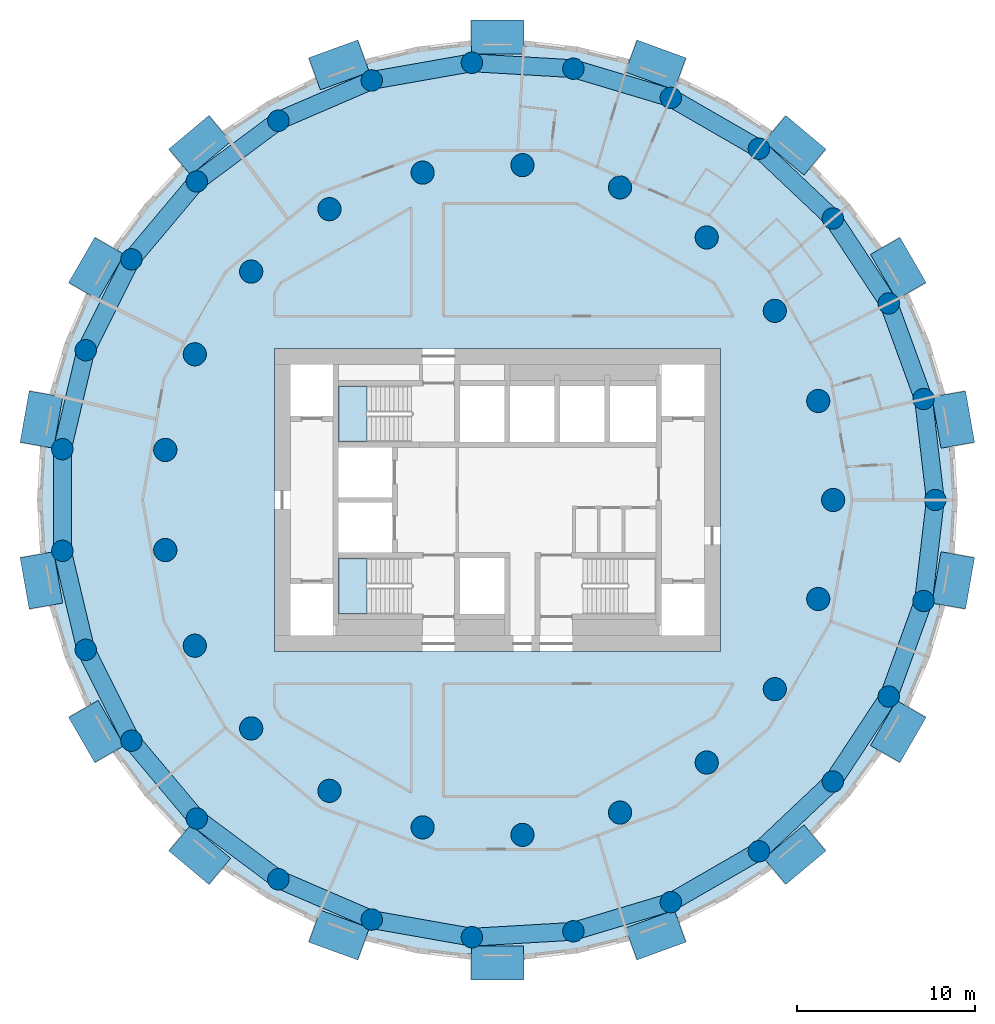
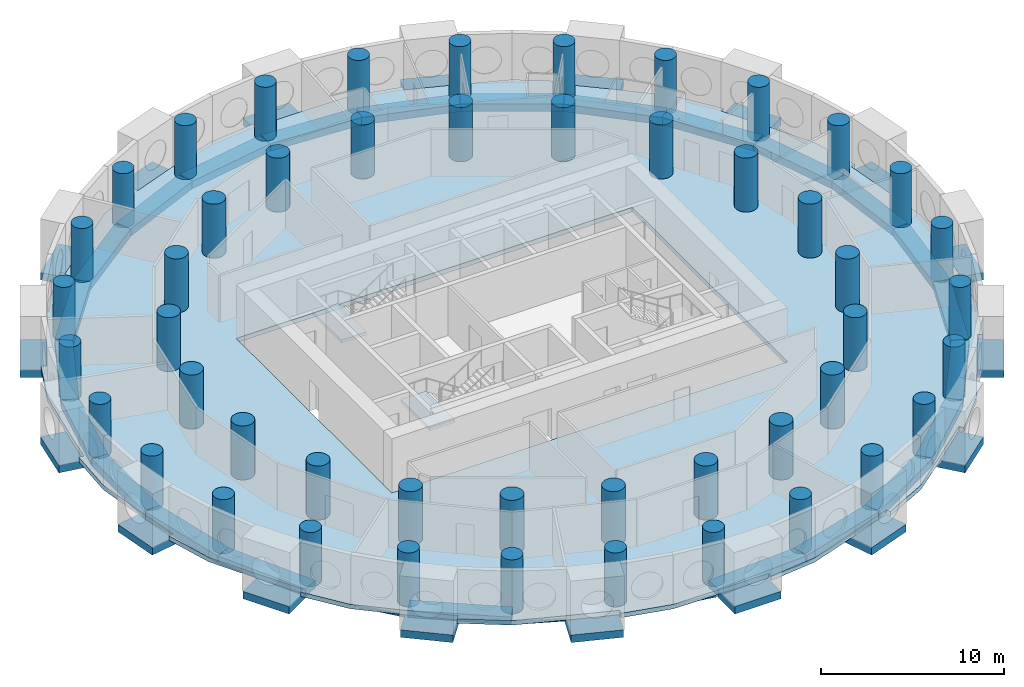
# One storey, part 1 of 10: 48 columns, 45 beams, 3 slabs, 2 elements without a shape of their own.
"""IFC4 building model written with IfcOpenShell, lengths in metres."""

from ifc_helpers import new_model, si_unit, direction, frame, origin, origin_2d, place, context, subcontext, project, spatial, polyline, rectangle, circle, outline, extrude, material, layer, layer_set, material_profile, profile_set, type_object, element, aggregate, save


model = new_model("IFC4")

# Units and contexts
model_context = context("Model", 3, precision=1e-05, world=origin(), true_north=direction((0.0, 1.0)))
body_context = subcontext(model_context, "Body", "Model", "MODEL_VIEW")
ifc_project = project(units=[si_unit("LENGTHUNIT", "METRE"), si_unit("AREAUNIT", "SQUARE_METRE"), si_unit("VOLUMEUNIT", "CUBIC_METRE"), si_unit("PLANEANGLEUNIT", "RADIAN"), si_unit("MASSUNIT", "GRAM", prefix="KILO")], contexts=[model_context])

# Site, building, storey
site_placement = place(None, origin())
site = spatial("IfcSite", under=ifc_project, at=site_placement, CompositionType="ELEMENT")
building_placement = place(site_placement, origin())
building = spatial("IfcBuilding", under=site, at=building_placement, Name="Tracery Tower", CompositionType="ELEMENT")
storey_placement = place(building_placement, frame((0.0, 0.0, 212.39990234375)))
storey = spatial("IfcBuildingStorey", under=building, at=storey_placement, Name="L55", CompositionType="ELEMENT", Elevation=212.39990234375)

# Columns
ifc_material_1 = material(Name="Concrete C50/60", Category="concrete")
ifc_material_profile_1 = material_profile(ifc_material_1, circle(Radius=0.60009765625, at=origin_2d()), Name="RC D1200")
ifc_profile_set_1 = profile_set([ifc_material_profile_1], Name="Concrete C50/60")
column_type_1 = type_object("IfcColumnType", Name="Ring 1 column 1200", PredefinedType="COLUMN", material=ifc_profile_set_1)
for number, where, z_axis, x_axis, name in (
    (1, (24.547607421875, 0.0, 0.0), (0.0, 0.0, 1.0), (1.0, 0.0, 0.0), "Ring 1 column 00 at L55"),
    (2, (23.885986328125, 5.6611328125, 0.0), (0.0, 0.0, 1.0), (1.0, 0.0, 0.0), "Ring 1 column 01 at L55"),
    (3, (21.9365234375, 11.01708984375, 0.0), (0.0, 0.0, 1.0), (1.0, 0.0, 0.0), "Ring 1 column 02 at L55"),
    (4, (18.8046875, 15.779052734375, 0.0), (0.0, 0.0, 1.0), (1.0, 0.0, 0.0), "Ring 1 column 03 at L55"),
    (5, (14.658935546875, 19.690185546875, 0.0), (0.0, 0.0, 1.0), (1.0, 0.0, 0.0), "Ring 1 column 04 at L55"),
    (6, (9.722900390625, 22.5400390625, 0.0), (0.0, 0.0, 1.0), (1.0, 0.0, 0.0), "Ring 1 column 05 at L55"),
    (7, (4.2626953125, 24.1748046875, 0.0), (0.0, 0.0, 1.0), (1.0, 0.0, 0.0), "Ring 1 column 06 at L55"),
    (8, (-1.42724609375, 24.506103515625, 0.0), (0.0, 0.0, 1.0), (1.0, 0.0, 0.0), "Ring 1 column 07 at L55"),
    (9, (-7.040283203125, 23.516357421875, 0.0), (0.0, 0.0, 1.0), (1.0, 0.0, 0.0), "Ring 1 column 08 at L55"),
    (10, (-12.273681640625, 21.2587890625, 0.0), (0.0, 0.0, 1.0), (1.0, 0.0, 0.0), "Ring 1 column 09 at L55"),
    (11, (-16.845703125, 17.855224609375, 0.0), (0.0, 0.0, 1.0), (1.0, 0.0, 0.0), "Ring 1 column 10 at L55"),
    (12, (-20.50927734375, 13.4892578125, 0.0), (0.0, 0.0, 1.0), (1.0, 0.0, 0.0), "Ring 1 column 11 at L55"),
    (13, (-23.0673828125, 8.395751953125, 0.0), (0.0, 0.0, 1.0), (1.0, 0.0, 0.0), "Ring 1 column 12 at L55"),
    (14, (-24.381591796875, 2.849853515625, 0.0), (0.0, 0.0, 1.0), (1.0, 0.0, 0.0), "Ring 1 column 13 at L55"),
    (15, (-24.381591796875, -2.849853515625, 0.0), (0.0, 0.0, 1.0), (1.0, 0.0, 0.0), "Ring 1 column 14 at L55"),
    (16, (-23.0673828125, -8.395751953125, 0.0), (0.0, 0.0, 1.0), (1.0, 0.0, 0.0), "Ring 1 column 15 at L55"),
    (17, (-20.50927734375, -13.4892578125, 0.0), (0.0, 0.0, 1.0), (1.0, 0.0, 0.0), "Ring 1 column 16 at L55"),
    (18, (-16.845703125, -17.85546875, 0.0), (0.0, 0.0, 1.0), (1.0, 0.0, 0.0), "Ring 1 column 17 at L55"),
    (19, (-12.27392578125, -21.2587890625, 0.0), (0.0, 0.0, 1.0), (1.0, 0.0, 0.0), "Ring 1 column 18 at L55"),
    (20, (-7.040283203125, -23.516357421875, 0.0), (0.0, 0.0, 1.0), (1.0, 0.0, 0.0), "Ring 1 column 19 at L55"),
    (21, (-1.42724609375, -24.506103515625, 0.0), (0.0, 0.0, 1.0), (1.0, 0.0, 0.0), "Ring 1 column 20 at L55"),
    (22, (4.2626953125, -24.1748046875, 0.0), (0.0, 0.0, 1.0), (1.0, 0.0, 0.0), "Ring 1 column 21 at L55"),
    (23, (9.722900390625, -22.5400390625, 0.0), (0.0, 0.0, 1.0), (1.0, 0.0, 0.0), "Ring 1 column 22 at L55"),
    (24, (14.658935546875, -19.690185546875, 0.0), (0.0, 0.0, 1.0), (1.0, 0.0, 0.0), "Ring 1 column 23 at L55"),
    (25, (18.8046875, -15.779052734375, 0.0), (0.0, 0.0, 1.0), (1.0, 0.0, 0.0), "Ring 1 column 24 at L55"),
    (26, (21.9365234375, -11.01708984375, 0.0), (0.0, 0.0, 1.0), (1.0, 0.0, 0.0), "Ring 1 column 25 at L55"),
    (27, (23.885986328125, -5.6611328125, 0.0), (0.0, 0.0, 1.0), (1.0, 0.0, 0.0), "Ring 1 column 26 at L55"),
):
    element("IfcColumn", number, at=place(storey_placement, frame(where, z_axis=z_axis, x_axis=x_axis)), inside=storey, type_object=column_type_1, Name=name, PredefinedType="COLUMN", context=body_context, shape_type="SweptSolid", body=[
        extrude(circle(Radius=0.60009765625, at=origin_2d()), origin(), (0.0, 0.0, 1.0), 3.60009765625),
    ])
ifc_material_2 = material(Name="Concrete C50/60", Category="concrete")
ifc_material_profile_2 = material_profile(ifc_material_2, circle(Radius=0.64990234375, at=origin_2d()), Name="RC D1300")
ifc_profile_set_2 = profile_set([ifc_material_profile_2], Name="Concrete C50/60")
column_type_2 = type_object("IfcColumnType", Name="Ring 2 column 1300", PredefinedType="COLUMN", material=ifc_profile_set_2)
for number, where, z_axis, x_axis, name in (
    (28, (18.822265625, 0.0, 0.0), (0.0, 0.0, 1.0), (1.0, 0.0, 0.0), "Ring 2 column 00 at L55"),
    (29, (17.986083984375, 5.5478515625, 0.0), (0.0, 0.0, 1.0), (1.0, 0.0, 0.0), "Ring 2 column 01 at L55"),
    (30, (15.551513671875, 10.602783203125, 0.0), (0.0, 0.0, 1.0), (1.0, 0.0, 0.0), "Ring 2 column 02 at L55"),
    (31, (11.7353515625, 14.7158203125, 0.0), (0.0, 0.0, 1.0), (1.0, 0.0, 0.0), "Ring 2 column 03 at L55"),
    (32, (6.87646484375, 17.52099609375, 0.0), (0.0, 0.0, 1.0), (1.0, 0.0, 0.0), "Ring 2 column 04 at L55"),
    (33, (1.406494140625, 18.76953125, 0.0), (0.0, 0.0, 1.0), (1.0, 0.0, 0.0), "Ring 2 column 05 at L55"),
    (34, (-4.188232421875, 18.350341796875, 0.0), (0.0, 0.0, 1.0), (1.0, 0.0, 0.0), "Ring 2 column 06 at L55"),
    (35, (-9.4111328125, 16.300537109375, 0.0), (0.0, 0.0, 1.0), (1.0, 0.0, 0.0), "Ring 2 column 07 at L55"),
    (36, (-13.797607421875, 12.802490234375, 0.0), (0.0, 0.0, 1.0), (1.0, 0.0, 0.0), "Ring 2 column 08 at L55"),
    (37, (-16.958251953125, 8.16650390625, 0.0), (0.0, 0.0, 1.0), (1.0, 0.0, 0.0), "Ring 2 column 09 at L55"),
    (38, (-18.612060546875, 2.805419921875, 0.0), (0.0, 0.0, 1.0), (1.0, 0.0, 0.0), "Ring 2 column 10 at L55"),
    (39, (-18.612060546875, -2.805419921875, 0.0), (0.0, 0.0, 1.0), (1.0, 0.0, 0.0), "Ring 2 column 11 at L55"),
    (40, (-16.958251953125, -8.166748046875, 0.0), (0.0, 0.0, 1.0), (1.0, 0.0, 0.0), "Ring 2 column 12 at L55"),
    (41, (-13.797607421875, -12.80224609375, 0.0), (0.0, 0.0, 1.0), (1.0, 0.0, 0.0), "Ring 2 column 13 at L55"),
    (42, (-9.4111328125, -16.300537109375, 0.0), (0.0, 0.0, 1.0), (1.0, 0.0, 0.0), "Ring 2 column 14 at L55"),
    (43, (-4.188232421875, -18.350341796875, 0.0), (0.0, 0.0, 1.0), (1.0, 0.0, 0.0), "Ring 2 column 15 at L55"),
    (44, (1.406494140625, -18.76953125, 0.0), (0.0, 0.0, 1.0), (1.0, 0.0, 0.0), "Ring 2 column 16 at L55"),
    (45, (6.87646484375, -17.52099609375, 0.0), (0.0, 0.0, 1.0), (1.0, 0.0, 0.0), "Ring 2 column 17 at L55"),
    (46, (11.7353515625, -14.7158203125, 0.0), (0.0, 0.0, 1.0), (1.0, 0.0, 0.0), "Ring 2 column 18 at L55"),
    (47, (15.551513671875, -10.602783203125, 0.0), (0.0, 0.0, 1.0), (1.0, 0.0, 0.0), "Ring 2 column 19 at L55"),
    (48, (17.986083984375, -5.5478515625, 0.0), (0.0, 0.0, 1.0), (1.0, 0.0, 0.0), "Ring 2 column 20 at L55"),
):
    element("IfcColumn", number, at=place(storey_placement, frame(where, z_axis=z_axis, x_axis=x_axis)), inside=storey, type_object=column_type_2, Name=name, PredefinedType="COLUMN", context=body_context, shape_type="SweptSolid", body=[
        extrude(circle(Radius=0.64990234375, at=origin_2d()), origin(), (0.0, 0.0, 1.0), 3.60009765625),
    ])

# Beams
ifc_material_3 = material(Name="Concrete C50/60", Category="concrete")
ifc_material_profile_3 = material_profile(ifc_material_3, rectangle(XDim=1.909912109375, YDim=0.5, at=origin_2d()), Name="RC 1910x500")
ifc_profile_set_3 = profile_set([ifc_material_profile_3], Name="Concrete C50/60")
beam_type_1 = type_object("IfcBeamType", Name="Bay seat beam 1910 x 500", PredefinedType="BEAM", material=ifc_profile_set_3)
for number, where, z_axis, x_axis, name in (
    (49, (25.808349609375, 3.068115234375, -0.5498046875), (-0.173651785524, 0.984807116843, 0.0), (-0.984807116843, -0.173651785524, 0.0), "Bay seat beam 2 at L55"),
    (50, (23.20263671875, 11.710205078125, -0.5498046875), (-0.500050533749, 0.865996226145, 0.0), (-0.865996226145, -0.500050533749, 0.0), "Bay seat beam 5 at L55"),
):
    element("IfcBeam", number, at=place(storey_placement, frame(where, z_axis=z_axis, x_axis=x_axis)), inside=storey, type_object=beam_type_1, Name=name, PredefinedType="BEAM", context=body_context, shape_type="SweptSolid", body=[
        extrude(rectangle(XDim=1.909912109375, YDim=0.5, at=origin_2d()), origin(), (0.0, 0.0, 1.0), 2.920166015625),
    ])
for number, where, z_axis, x_axis, name in (
    (51, (17.798095703125, 18.939697265625, -0.5498046875), (-0.766037477963, 0.642795910345, 0.0), (-0.642795910345, -0.766037477963, 0.0), "Bay seat beam 8 at L55"),
    (52, (10.2470703125, 23.884765625, -0.5498046875), (-0.939683523464, 0.342045136978, 0.0), (-0.342045136978, -0.939683523464, 0.0), "Bay seat beam 11 at L55"),
    (53, (1.4599609375, 25.948974609375, -0.5498046875), (-1.0, 0.0, 0.0), (0.0, -1.0, 0.0), "Bay seat beam 14 at L55"),
    (54, (-7.503173828125, 24.883544921875, -0.5498046875), (-0.939683523464, -0.342045136978, 0.0), (0.342045136978, -0.939683523464, 0.0), "Bay seat beam 17 at L55"),
    (55, (-15.561279296875, 20.816650390625, -0.5498046875), (-0.766037477963, -0.642795910345, 0.0), (0.642795910345, -0.766037477963, 0.0), "Bay seat beam 20 at L55"),
):
    element("IfcBeam", number, at=place(storey_placement, frame(where, z_axis=z_axis, x_axis=x_axis)), inside=storey, type_object=beam_type_1, Name=name, PredefinedType="BEAM", context=body_context, shape_type="SweptSolid", body=[
        extrude(rectangle(XDim=1.909912109375, YDim=0.5, at=origin_2d()), origin(), (0.0, 0.0, 1.0), 2.919921875),
    ])
for number, where, z_axis, x_axis, name in (
    (56, (-21.742431640625, 14.239013671875, -0.5498046875), (-0.500050533749, -0.865996226145, 0.0), (0.865996226145, -0.500050533749, 0.0), "Bay seat beam 23 at L55"),
    (57, (-25.30126953125, 5.94384765625, -0.5498046875), (-0.173651785524, -0.984807116843, 0.0), (0.984807116843, -0.173651785524, 0.0), "Bay seat beam 26 at L55"),
    (58, (-25.808349609375, -3.068115234375, -0.5498046875), (0.173651785524, -0.984807116843, 0.0), (0.984807116843, 0.173651785524, 0.0), "Bay seat beam 29 at L55"),
    (59, (-23.20263671875, -11.710205078125, -0.5498046875), (0.500050533749, -0.865996226145, 0.0), (0.865996226145, 0.500050533749, 0.0), "Bay seat beam 32 at L55"),
):
    element("IfcBeam", number, at=place(storey_placement, frame(where, z_axis=z_axis, x_axis=x_axis)), inside=storey, type_object=beam_type_1, Name=name, PredefinedType="BEAM", context=body_context, shape_type="SweptSolid", body=[
        extrude(rectangle(XDim=1.909912109375, YDim=0.5, at=origin_2d()), origin(), (0.0, 0.0, 1.0), 2.920166015625),
    ])
for number, where, z_axis, x_axis, name in (
    (60, (-17.798095703125, -18.939697265625, -0.5498046875), (0.766037477963, -0.642795910345, 0.0), (0.642795910345, 0.766037477963, 0.0), "Bay seat beam 35 at L55"),
    (61, (-10.2470703125, -23.884765625, -0.5498046875), (0.939683523464, -0.342045136978, 0.0), (0.342045136978, 0.939683523464, 0.0), "Bay seat beam 38 at L55"),
    (62, (-1.4599609375, -25.948974609375, -0.5498046875), (1.0, 0.0, 0.0), (0.0, 1.0, 0.0), "Bay seat beam 41 at L55"),
    (63, (7.503173828125, -24.883544921875, -0.5498046875), (0.939683523464, 0.342045136978, 0.0), (-0.342045136978, 0.939683523464, 0.0), "Bay seat beam 44 at L55"),
    (64, (15.561279296875, -20.816650390625, -0.5498046875), (0.766037477963, 0.642795910345, 0.0), (-0.642795910345, 0.766037477963, 0.0), "Bay seat beam 47 at L55"),
):
    element("IfcBeam", number, at=place(storey_placement, frame(where, z_axis=z_axis, x_axis=x_axis)), inside=storey, type_object=beam_type_1, Name=name, PredefinedType="BEAM", context=body_context, shape_type="SweptSolid", body=[
        extrude(rectangle(XDim=1.909912109375, YDim=0.5, at=origin_2d()), origin(), (0.0, 0.0, 1.0), 2.919921875),
    ])
for number, where, z_axis, x_axis, name in (
    (65, (21.742431640625, -14.239013671875, -0.5498046875), (0.500050533749, 0.865996226145, 0.0), (-0.865996226145, 0.500050533749, 0.0), "Bay seat beam 50 at L55"),
    (66, (25.30126953125, -5.94384765625, -0.5498046875), (0.173651785524, 0.984807116843, 0.0), (-0.984807116843, 0.173651785524, 0.0), "Bay seat beam 53 at L55"),
):
    element("IfcBeam", number, at=place(storey_placement, frame(where, z_axis=z_axis, x_axis=x_axis)), inside=storey, type_object=beam_type_1, Name=name, PredefinedType="BEAM", context=body_context, shape_type="SweptSolid", body=[
        extrude(rectangle(XDim=1.909912109375, YDim=0.5, at=origin_2d()), origin(), (0.0, 0.0, 1.0), 2.920166015625),
    ])
ifc_material_4 = material(Name="Concrete C50/60", Category="concrete")
ifc_material_profile_4 = material_profile(ifc_material_4, rectangle(XDim=1.0, YDim=0.5, at=origin_2d()), Name="RC 1000x500")
ifc_profile_set_4 = profile_set([ifc_material_profile_4], Name="Concrete C50/60")
beam_type_2 = type_object("IfcBeamType", Name="Perimeter band beam 1000x500", PredefinedType="BEAM", material=ifc_profile_set_4)
for number, where, z_axis, x_axis, name in (
    (67, (24.547607421875, 0.0, -0.5498046875), (-0.116080723252, 0.993239782575, 0.0), (-0.993239782575, -0.116080723252, 0.0), "Perimeter beam 1.00 under L55"),
    (68, (23.885986328125, 5.6611328125, -0.5498046875), (-0.342028502279, 0.939689578334, 0.0), (-0.939689578334, -0.342028502279, 0.0), "Perimeter beam 1.01 under L55"),
):
    element("IfcBeam", number, at=place(storey_placement, frame(where, z_axis=z_axis, x_axis=x_axis)), inside=storey, type_object=beam_type_2, Name=name, PredefinedType="BEAM", context=body_context, shape_type="SweptSolid", body=[
        extrude(rectangle(XDim=1.0, YDim=0.5, at=origin_2d()), origin(), (0.0, 0.0, 1.0), 5.69970703125),
    ])
for number, where, z_axis, x_axis, name in (
    (69, (21.9365234375, 11.01708984375, -0.5498046875), (-0.549489832182, 0.835500403548, 0.0), (-0.835500403548, -0.549489832182, 0.0), "Perimeter beam 1.02 under L55"),
    (70, (18.8046875, 15.779052734375, -0.5498046875), (-0.727389618263, 0.686224703172, 0.0), (-0.686224703172, -0.727389618263, 0.0), "Perimeter beam 1.03 under L55"),
):
    element("IfcBeam", number, at=place(storey_placement, frame(where, z_axis=z_axis, x_axis=x_axis)), inside=storey, type_object=beam_type_2, Name=name, PredefinedType="BEAM", context=body_context, shape_type="SweptSolid", body=[
        extrude(rectangle(XDim=1.0, YDim=0.5, at=origin_2d()), origin(), (0.0, 0.0, 1.0), 5.699462890625),
    ])
for number, where, z_axis, x_axis, name in (
    (71, (14.658935546875, 19.690185546875, -0.5498046875), (-0.866022950691, 0.500004248858, 0.0), (-0.500004248858, -0.866022950691, 0.0), "Perimeter beam 1.04 under L55"),
    (72, (9.722900390625, 22.5400390625, -0.5498046875), (-0.957985292634, 0.28681732705, 0.0), (-0.28681732705, -0.957985292634, 0.0), "Perimeter beam 1.05 under L55"),
):
    element("IfcBeam", number, at=place(storey_placement, frame(where, z_axis=z_axis, x_axis=x_axis)), inside=storey, type_object=beam_type_2, Name=name, PredefinedType="BEAM", context=body_context, shape_type="SweptSolid", body=[
        extrude(rectangle(XDim=1.0, YDim=0.5, at=origin_2d()), origin(), (0.0, 0.0, 1.0), 5.69970703125),
    ])
beam_1_placement = place(storey_placement, frame((4.2626953125, 24.1748046875, -0.5498046875), z_axis=(-0.99830920221, 0.058126902403, 0.0), x_axis=(-0.058126902403, -0.99830920221, 0.0)))
element("IfcBeam", 73, at=beam_1_placement, inside=storey, type_object=beam_type_2, Name="Perimeter beam 1.06 under L55", PredefinedType="BEAM", context=body_context, shape_type="SweptSolid", body=[
    extrude(rectangle(XDim=1.0, YDim=0.5, at=origin_2d()), origin(), (0.0, 0.0, 1.0), 5.699462890625),
])
beam_2_placement = place(storey_placement, frame((-1.42724609375, 24.506103515625, -0.5498046875), z_axis=(-0.984807266719, -0.173650935552, 0.0), x_axis=(0.173650935552, -0.984807266719, 0.0)))
element("IfcBeam", 74, at=beam_2_placement, inside=storey, type_object=beam_type_2, Name="Perimeter beam 1.07 under L55", PredefinedType="BEAM", context=body_context, shape_type="SweptSolid", body=[
    extrude(rectangle(XDim=1.0, YDim=0.5, at=origin_2d()), origin(), (0.0, 0.0, 1.0), 5.69970703125),
])
beam_3_placement = place(storey_placement, frame((-7.040283203125, 23.516357421875, -0.5498046875), z_axis=(-0.918209685525, -0.396094652083, 0.0), x_axis=(0.396094652083, -0.918209685525, 0.0)))
element("IfcBeam", 75, at=beam_3_placement, inside=storey, type_object=beam_type_2, Name="Perimeter beam 1.08 under L55", PredefinedType="BEAM", context=body_context, shape_type="SweptSolid", body=[
    extrude(rectangle(XDim=1.0, YDim=0.5, at=origin_2d()), origin(), (0.0, 0.0, 1.0), 5.699462890625),
])
beam_4_placement = place(storey_placement, frame((-12.273681640625, 21.2587890625, -0.5498046875), z_axis=(-0.802138271299, -0.59713833717, 0.0), x_axis=(0.59713833717, -0.802138271299, 0.0)))
element("IfcBeam", 76, at=beam_4_placement, inside=storey, type_object=beam_type_2, Name="Perimeter beam 1.09 under L55", PredefinedType="BEAM", context=body_context, shape_type="SweptSolid", body=[
    extrude(rectangle(XDim=1.0, YDim=0.5, at=origin_2d()), origin(), (0.0, 0.0, 1.0), 5.69970703125),
])
beam_5_placement = place(storey_placement, frame((-16.845703125, 17.855224609375, -0.5498046875), z_axis=(-0.642797194343, -0.766036400535, 0.0), x_axis=(0.766036400535, -0.642797194343, 0.0)))
element("IfcBeam", 77, at=beam_5_placement, inside=storey, type_object=beam_type_2, Name="Perimeter beam 1.10 under L55", PredefinedType="BEAM", context=body_context, shape_type="SweptSolid", body=[
    extrude(rectangle(XDim=1.0, YDim=0.5, at=origin_2d()), origin(), (0.0, 0.0, 1.0), 5.699462890625),
])
beam_6_placement = place(storey_placement, frame((-20.50927734375, 13.4892578125, -0.5498046875), z_axis=(-0.448806280933, -0.893629074166, 0.0), x_axis=(0.893629074166, -0.448806280933, 0.0)))
element("IfcBeam", 78, at=beam_6_placement, inside=storey, type_object=beam_type_2, Name="Perimeter beam 1.11 under L55", PredefinedType="BEAM", context=body_context, shape_type="SweptSolid", body=[
    extrude(rectangle(XDim=1.0, YDim=0.5, at=origin_2d()), origin(), (0.0, 0.0, 1.0), 5.69970703125),
])
beam_7_placement = place(storey_placement, frame((-23.0673828125, 8.395751953125, -0.5498046875), z_axis=(-0.230583793756, -0.973052472407, 0.0), x_axis=(0.973052472407, -0.230583793756, 0.0)))
element("IfcBeam", 79, at=beam_7_placement, inside=storey, type_object=beam_type_2, Name="Perimeter beam 1.12 under L55", PredefinedType="BEAM", context=body_context, shape_type="SweptSolid", body=[
    extrude(rectangle(XDim=1.0, YDim=0.5, at=origin_2d()), origin(), (0.0, 0.0, 1.0), 5.699462890625),
])
beam_8_placement = place(storey_placement, frame((-24.381591796875, 2.849853515625, -0.5498046875), z_axis=(0.0, -1.0, 0.0), x_axis=(1.0, 0.0, 0.0)))
element("IfcBeam", 80, at=beam_8_placement, inside=storey, type_object=beam_type_2, Name="Perimeter beam 1.13 under L55", PredefinedType="BEAM", context=body_context, shape_type="SweptSolid", body=[
    extrude(rectangle(XDim=1.0, YDim=0.5, at=origin_2d()), origin(), (0.0, 0.0, 1.0), 5.69970703125),
])
beam_9_placement = place(storey_placement, frame((-24.381591796875, -2.849853515625, -0.5498046875), z_axis=(0.230583793756, -0.973052472407, 0.0), x_axis=(0.973052472407, 0.230583793756, 0.0)))
element("IfcBeam", 81, at=beam_9_placement, inside=storey, type_object=beam_type_2, Name="Perimeter beam 1.14 under L55", PredefinedType="BEAM", context=body_context, shape_type="SweptSolid", body=[
    extrude(rectangle(XDim=1.0, YDim=0.5, at=origin_2d()), origin(), (0.0, 0.0, 1.0), 5.699462890625),
])
for number, where, z_axis, x_axis, name in (
    (82, (-23.0673828125, -8.395751953125, -0.5498046875), (0.448806280933, -0.893629074166, 0.0), (0.893629074166, 0.448806280933, 0.0), "Perimeter beam 1.15 under L55"),
    (83, (-20.50927734375, -13.4892578125, -0.5498046875), (0.64277610208, -0.766054099, 0.0), (0.766054099, 0.64277610208, 0.0), "Perimeter beam 1.16 under L55"),
):
    element("IfcBeam", number, at=place(storey_placement, frame(where, z_axis=z_axis, x_axis=x_axis)), inside=storey, type_object=beam_type_2, Name=name, PredefinedType="BEAM", context=body_context, shape_type="SweptSolid", body=[
        extrude(rectangle(XDim=1.0, YDim=0.5, at=origin_2d()), origin(), (0.0, 0.0, 1.0), 5.69970703125),
    ])
beam_10_placement = place(storey_placement, frame((-16.845703125, -17.85546875, -0.5498046875), z_axis=(0.802143514942, -0.597131293298, 0.0), x_axis=(0.597131293298, 0.802143514942, 0.0)))
element("IfcBeam", 84, at=beam_10_placement, inside=storey, type_object=beam_type_2, Name="Perimeter beam 1.17 under L55", PredefinedType="BEAM", context=body_context, shape_type="SweptSolid", body=[
    extrude(rectangle(XDim=1.0, YDim=0.5, at=origin_2d()), origin(), (0.0, 0.0, 1.0), 5.699462890625),
])
for number, where, z_axis, x_axis, name in (
    (85, (-12.27392578125, -21.2587890625, -0.5498046875), (0.918216405543, -0.39607907366, 0.0), (0.39607907366, 0.918216405543, 0.0), "Perimeter beam 1.18 under L55"),
    (86, (-7.040283203125, -23.516357421875, -0.5498046875), (0.984807266719, -0.173650935552, 0.0), (0.173650935552, 0.984807266719, 0.0), "Perimeter beam 1.19 under L55"),
):
    element("IfcBeam", number, at=place(storey_placement, frame(where, z_axis=z_axis, x_axis=x_axis)), inside=storey, type_object=beam_type_2, Name=name, PredefinedType="BEAM", context=body_context, shape_type="SweptSolid", body=[
        extrude(rectangle(XDim=1.0, YDim=0.5, at=origin_2d()), origin(), (0.0, 0.0, 1.0), 5.69970703125),
    ])
beam_11_placement = place(storey_placement, frame((-1.42724609375, -24.506103515625, -0.5498046875), z_axis=(0.99830920221, 0.058126902403, 0.0), x_axis=(-0.058126902403, 0.99830920221, 0.0)))
element("IfcBeam", 87, at=beam_11_placement, inside=storey, type_object=beam_type_2, Name="Perimeter beam 1.20 under L55", PredefinedType="BEAM", context=body_context, shape_type="SweptSolid", body=[
    extrude(rectangle(XDim=1.0, YDim=0.5, at=origin_2d()), origin(), (0.0, 0.0, 1.0), 5.699462890625),
])
for number, where, z_axis, x_axis, name in (
    (88, (4.2626953125, -24.1748046875, -0.5498046875), (0.957985292634, 0.28681732705, 0.0), (-0.28681732705, 0.957985292634, 0.0), "Perimeter beam 1.21 under L55"),
    (89, (9.722900390625, -22.5400390625, -0.5498046875), (0.866022950691, 0.500004248858, 0.0), (-0.500004248858, 0.866022950691, 0.0), "Perimeter beam 1.22 under L55"),
):
    element("IfcBeam", number, at=place(storey_placement, frame(where, z_axis=z_axis, x_axis=x_axis)), inside=storey, type_object=beam_type_2, Name=name, PredefinedType="BEAM", context=body_context, shape_type="SweptSolid", body=[
        extrude(rectangle(XDim=1.0, YDim=0.5, at=origin_2d()), origin(), (0.0, 0.0, 1.0), 5.69970703125),
    ])
for number, where, z_axis, x_axis, name in (
    (90, (14.658935546875, -19.690185546875, -0.5498046875), (0.727389618263, 0.686224703172, 0.0), (-0.686224703172, 0.727389618263, 0.0), "Perimeter beam 1.23 under L55"),
    (91, (18.8046875, -15.779052734375, -0.5498046875), (0.549489832182, 0.835500403548, 0.0), (-0.835500403548, 0.549489832182, 0.0), "Perimeter beam 1.24 under L55"),
):
    element("IfcBeam", number, at=place(storey_placement, frame(where, z_axis=z_axis, x_axis=x_axis)), inside=storey, type_object=beam_type_2, Name=name, PredefinedType="BEAM", context=body_context, shape_type="SweptSolid", body=[
        extrude(rectangle(XDim=1.0, YDim=0.5, at=origin_2d()), origin(), (0.0, 0.0, 1.0), 5.699462890625),
    ])
for number, where, z_axis, x_axis, name in (
    (92, (21.9365234375, -11.01708984375, -0.5498046875), (0.342028502279, 0.939689578334, 0.0), (-0.939689578334, 0.342028502279, 0.0), "Perimeter beam 1.25 under L55"),
    (93, (23.885986328125, -5.6611328125, -0.5498046875), (0.116080723252, 0.993239782575, 0.0), (-0.993239782575, 0.116080723252, 0.0), "Perimeter beam 1.26 under L55"),
):
    element("IfcBeam", number, at=place(storey_placement, frame(where, z_axis=z_axis, x_axis=x_axis)), inside=storey, type_object=beam_type_2, Name=name, PredefinedType="BEAM", context=body_context, shape_type="SweptSolid", body=[
        extrude(rectangle(XDim=1.0, YDim=0.5, at=origin_2d()), origin(), (0.0, 0.0, 1.0), 5.69970703125),
    ])

# Slab
ifc_material_5 = material(Name="Concrete C40/50", Category="concrete")
ifc_layer_1 = layer(ifc_material_5, 0.300048828125)
ifc_layer_set_1 = layer_set([ifc_layer_1], Name="Floor slab 300")
slab_type_1 = type_object("IfcSlabType", Name="Floor slab 300", PredefinedType="FLOOR", material=ifc_layer_set_1)
slab_1_placement = place(storey_placement, frame((0.0, 0.0, -0.2998046875)))
element("IfcSlab", 94, at=slab_1_placement, inside=storey, type_object=slab_type_1, Name="Floor slab L55", PredefinedType="FLOOR", context=body_context, shape_type="SweptSolid", body=[
    extrude(outline(polyline([(25.32470703125, 2.959716796875), (25.07568359375, 4.373291015625), (24.809814453125, 5.880126953125), (24.809814453125, 5.880126953125), (24.806884765625, 5.897216796875), (25.1015625, 5.94921875), (25.102294921875, 5.949462890625), (24.241943359375, 8.8232421875), (22.78515625, 11.443115234375), (21.302490234375, 14.010986328125), (21.302490234375, 14.010986328125), (21.2939453125, 14.026123046875), (21.5537109375, 14.176025390625), (21.5537109375, 14.176025390625), (19.76220703125, 16.58251953125), (17.497314453125, 18.5458984375), (16.89501953125, 19.051513671875), (15.21240234375, 20.463134765625), (15.4052734375, 20.69287109375), (12.89892578125, 22.341552734375), (10.098876953125, 23.411865234375), (7.312744140625, 24.426025390625), (7.312744140625, 24.426025390625), (7.29638671875, 24.431884765625), (7.39892578125, 24.7138671875), (4.479736328125, 25.40576171875), (1.4853515625, 25.4541015625), (-1.5, 25.4541015625), (-1.5, 25.754150390625), (-4.479736328125, 25.40576171875), (-7.312744140625, 24.426025390625), (-10.098876953125, 23.411865234375), (-10.098876953125, 23.411865234375), (-10.115234375, 23.406005859375), (-10.218017578125, 23.68798828125), (-12.898681640625, 22.341552734375), (-15.224609375, 20.453125), (-16.89501953125, 19.051513671875), (-17.497314453125, 18.5458984375), (-17.497314453125, 18.5458984375), (-17.510498046875, 18.534912109375), (-17.703369140625, 18.764404296875), (-17.70361328125, 18.7646484375), (-19.76220703125, 16.58251953125), (-21.302490234375, 14.010986328125), (-22.78515625, 11.443115234375), (-22.78515625, 11.443115234375), (-22.7939453125, 11.427978515625), (-23.0537109375, 11.577880859375), (-23.0537109375, 11.577880859375), (-24.241943359375, 8.8232421875), (-24.809814453125, 5.880126953125), (-25.07568359375, 4.373291015625), (-25.327880859375, 2.94287109375), (-25.622802734375, 2.994873046875), (-25.623291015625, 2.994873046875), (-25.797607421875, 0.0), (-25.32470703125, -2.959716796875), (-25.07568359375, -4.373291015625), (-24.809814453125, -5.880126953125), (-24.809814453125, -5.880126953125), (-24.806884765625, -5.897216796875), (-25.1015625, -5.94921875), (-25.102294921875, -5.949462890625), (-24.241943359375, -8.8232421875), (-22.78515625, -11.443115234375), (-21.302490234375, -14.010986328125), (-21.302490234375, -14.010986328125), (-21.2939453125, -14.026123046875), (-21.5537109375, -14.176025390625), (-21.5537109375, -14.176025390625), (-19.76220703125, -16.58251953125), (-17.497314453125, -18.5458984375), (-16.89501953125, -19.051513671875), (-15.21240234375, -20.463134765625), (-15.4052734375, -20.69287109375), (-12.89892578125, -22.341552734375), (-10.098876953125, -23.411865234375), (-7.312744140625, -24.426025390625), (-7.312744140625, -24.426025390625), (-7.29638671875, -24.431884765625), (-7.39892578125, -24.7138671875), (-4.479736328125, -25.40576171875), (-1.4853515625, -25.4541015625), (1.5, -25.4541015625), (1.5, -25.754150390625), (4.479736328125, -25.40576171875), (7.312744140625, -24.426025390625), (10.098876953125, -23.411865234375), (10.098876953125, -23.411865234375), (10.115234375, -23.406005859375), (10.218017578125, -23.68798828125), (12.89892578125, -22.341552734375), (15.224609375, -20.453125), (16.89501953125, -19.051513671875), (17.497314453125, -18.5458984375), (17.497314453125, -18.5458984375), (17.510498046875, -18.534912109375), (17.703369140625, -18.764404296875), (17.70361328125, -18.7646484375), (19.76220703125, -16.58251953125), (21.302490234375, -14.010986328125), (22.78515625, -11.443115234375), (22.78515625, -11.443115234375), (22.7939453125, -11.427978515625), (23.0537109375, -11.577880859375), (23.0537109375, -11.577880859375), (24.241943359375, -8.8232421875), (24.809814453125, -5.880126953125), (25.07568359375, -4.373291015625), (25.327880859375, -2.94287109375), (25.622802734375, -2.994873046875), (25.623291015625, -2.994873046875), (25.797607421875, 0.0), (25.32470703125, 2.959716796875)]), holes=[polyline([(-12.5, -8.5), (12.5, -8.5), (12.5, 8.5), (-12.5, 8.5), (-12.5, -8.5)])]), origin(), (0.0, 0.0, 1.0), 0.2998046875),
])

# Stair, slab
ifc_material_6 = material(Name="Concrete C32/40", Category="concrete")
stair_type = type_object("IfcStairType", Name="Core stair 22 risers", PredefinedType="HALF_TURN_STAIR", material=ifc_material_6)
stair_1_placement = place(storey_placement, origin())
stair_1 = element("IfcStair", 95, at=stair_1_placement, inside=storey, type_object=stair_type, Name="L55 stair ST1", PredefinedType="HALF_TURN_STAIR")
ifc_material_7 = material(Name="Concrete C32/40", Category="concrete")
ifc_layer_2 = layer(ifc_material_7, 0.199951171875)
ifc_layer_set_2 = layer_set([ifc_layer_2], Name="Stair landing slab 200")
slab_type_2 = type_object("IfcSlabType", Name="Stair landing slab 200", PredefinedType="LANDING", material=ifc_layer_set_2)
slab_2_placement = place(storey_placement, frame((0.0, 0.0, 1.60009765625)))
slab_2 = element("IfcSlab", 96, at=slab_2_placement, type_object=slab_type_2, Name="ST1 landing 1", PredefinedType="LANDING", context=body_context, shape_type="SweptSolid", body=[
    extrude(outline(polyline([(-7.29931640625, -3.25), (-8.89990234375, -3.25), (-8.89990234375, -6.39990234375), (-7.29931640625, -6.39990234375), (-7.29931640625, -3.25)])), origin(), (0.0, 0.0, 1.0), 0.199951171875),
])
aggregate(stair_1, [slab_2])

stair_2_placement = place(storey_placement, origin())
stair_2 = element("IfcStair", 97, at=stair_2_placement, inside=storey, type_object=stair_type, Name="L55 stair ST3", PredefinedType="HALF_TURN_STAIR")
slab_3_placement = place(storey_placement, frame((0.0, 0.0, 1.60009765625)))
slab_3 = element("IfcSlab", 98, at=slab_3_placement, type_object=slab_type_2, Name="ST3 landing 1", PredefinedType="LANDING", context=body_context, shape_type="SweptSolid", body=[
    extrude(outline(polyline([(-7.29931640625, 6.39990234375), (-8.89990234375, 6.39990234375), (-8.89990234375, 3.25), (-7.29931640625, 3.25), (-7.29931640625, 6.39990234375)])), origin(), (0.0, 0.0, 1.0), 0.199951171875),
])
aggregate(stair_2, [slab_3])

save(model, "model.ifc")
